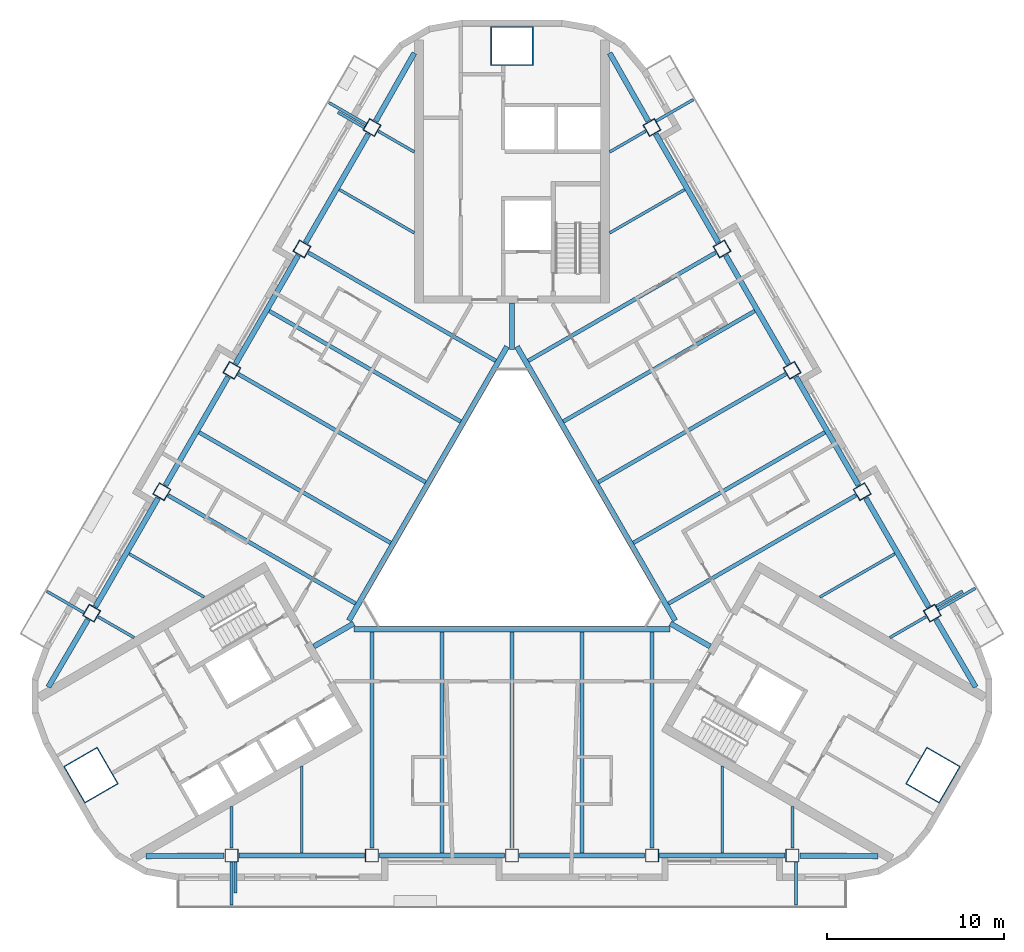
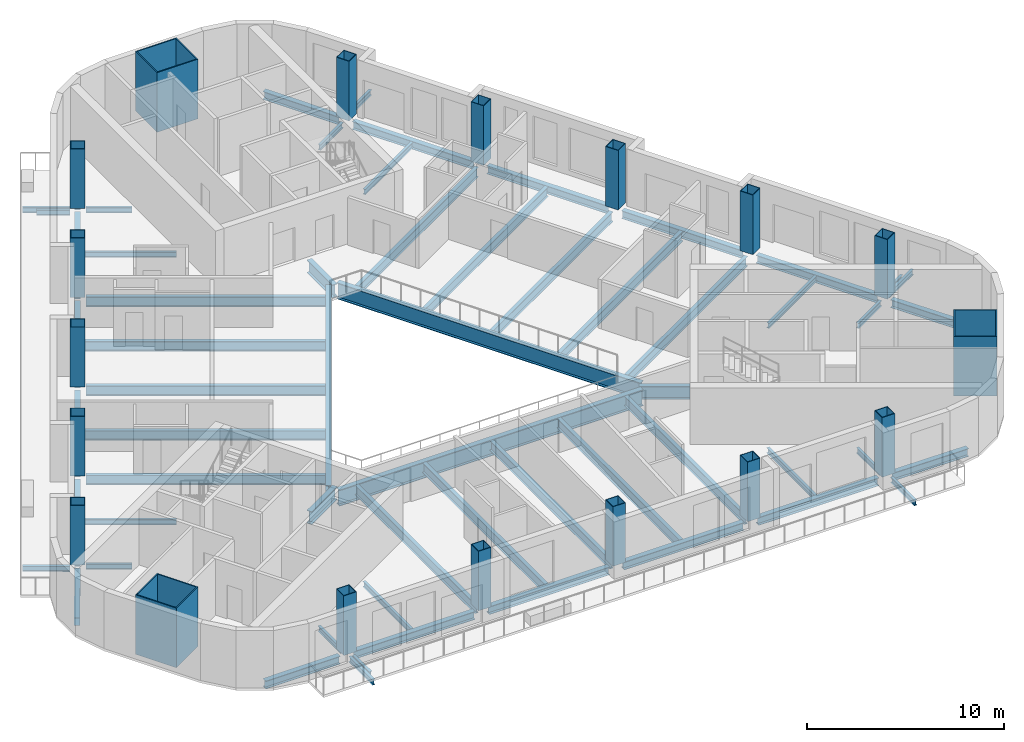
# One storey, part 1 of 13: 60 beams, 18 columns.
"""IFC4 building model written with IfcOpenShell, lengths in metres."""

from ifc_helpers import new_model, si_unit, direction, frame, origin, origin_2d, place, context, subcontext, project, spatial, rectangle, hollow_rectangle, i_section, extrude, material, material_profile, profile_set, type_object, element, save


model = new_model("IFC4")

# Units and contexts
model_context = context("Model", 3, precision=1e-05, world=origin(), true_north=direction((0.0, 1.0)))
body_context = subcontext(model_context, "Body", "Model", "MODEL_VIEW")
ifc_project = project(units=[si_unit("LENGTHUNIT", "METRE"), si_unit("AREAUNIT", "SQUARE_METRE"), si_unit("VOLUMEUNIT", "CUBIC_METRE"), si_unit("PLANEANGLEUNIT", "RADIAN"), si_unit("MASSUNIT", "GRAM", prefix="KILO")], contexts=[model_context])

# Site, building, storey
site_placement = place(None, origin())
site = spatial("IfcSite", under=ifc_project, at=site_placement, CompositionType="ELEMENT")
building_placement = place(site_placement, origin())
building = spatial("IfcBuilding", under=site, at=building_placement, Name="Apuvela Tower Hotel", CompositionType="ELEMENT")
storey_placement = place(building_placement, frame((0.0, 0.0, 187.300048828125)))
storey = spatial("IfcBuildingStorey", under=building, at=storey_placement, Name="L45", CompositionType="ELEMENT", Elevation=187.300048828125)

# Columns
ifc_material_1 = material(Name="Steel S460", Category="steel")
ifc_material_profile_1 = material_profile(ifc_material_1, hollow_rectangle(XDim=2.39990234375, YDim=2.199951171875, WallThickness=0.06005859375, at=origin_2d()), Name="BOX 2400x2200x60")
ifc_material_2 = material(Name="Concrete C80/95", Category="concrete")
ifc_material_profile_2 = material_profile(ifc_material_2, rectangle(XDim=2.280029296875, YDim=2.080078125, at=origin_2d()), Name="Concrete C80/95 infill")
ifc_profile_set_1 = profile_set([ifc_material_profile_1, ifc_material_profile_2], Name="Steel S460")
column_type_1 = type_object("IfcColumnType", Name="STR-MC mega column BOX 2400x2200x60", PredefinedType="COLUMN", material=ifc_profile_set_1)
for number, where, z_axis, x_axis, name in (
    (1, (0.0, 27.39990234375, 0.0), (0.0, 0.0, 1.0), (1.0, 0.0, 0.0), "Mega column MC3 N"),
    (2, (-23.72900390625, -13.699951171875, 0.0), (0.0, 0.0, 1.0), (-0.5, 0.866025403784, 0.0), "Mega column MC3 SW"),
    (3, (23.72900390625, -13.699951171875, 0.0), (0.0, 0.0, 1.0), (0.5, 0.866025403784, 0.0), "Mega column MC3 SE"),
):
    element("IfcColumn", number, at=place(storey_placement, frame(where, z_axis=z_axis, x_axis=x_axis)), inside=storey, type_object=column_type_1, Name=name, PredefinedType="COLUMN", context=body_context, shape_type="SweptSolid", body=[
        extrude(hollow_rectangle(XDim=2.39990234375, YDim=2.199951171875, WallThickness=0.06005859375, at=origin_2d()), origin(), (0.0, 0.0, 1.0), 3.699951171875),
    ])
ifc_material_profile_3 = material_profile(ifc_material_1, hollow_rectangle(XDim=0.75, YDim=0.75, WallThickness=0.034912109375, at=origin_2d()), Name="BOX 750x750x35")
ifc_material_profile_4 = material_profile(ifc_material_2, rectangle(XDim=0.679931640625, YDim=0.679931640625, at=origin_2d()), Name="Concrete C80/95 infill")
ifc_profile_set_2 = profile_set([ifc_material_profile_3, ifc_material_profile_4], Name="Steel S460")
column_type_2 = type_object("IfcColumnType", Name="STR-PC perimeter column BOX 750x750x35", PredefinedType="COLUMN", material=ifc_profile_set_2)
for number, where, z_axis, x_axis, name in (
    (4, (-15.800048828125, -18.22998046875, 0.0), (0.0, 0.0, 1.0), (-1.0, 0.0, 0.0), "Perimeter column C5 S1"),
    (5, (-7.89990234375, -18.22998046875, 0.0), (0.0, 0.0, 1.0), (-1.0, 0.0, 0.0), "Perimeter column C5 S2"),
    (6, (0.0, -18.22998046875, 0.0), (0.0, 0.0, 1.0), (-1.0, 0.0, 0.0), "Perimeter column C5 S3"),
    (7, (7.89990234375, -18.22998046875, 0.0), (0.0, 0.0, 1.0), (-1.0, 0.0, 0.0), "Perimeter column C5 S4"),
    (8, (15.800048828125, -18.22998046875, 0.0), (0.0, 0.0, 1.0), (-1.0, 0.0, 0.0), "Perimeter column C5 S5"),
    (9, (23.6875, -4.568115234375, 0.0), (0.0, 0.0, 1.0), (-0.5, 0.866025403784, 0.0), "Perimeter column C5 NE1"),
    (10, (19.737548828125, 2.2734375, 0.0), (0.0, 0.0, 1.0), (-0.5, 0.866025403784, 0.0), "Perimeter column C5 NE2"),
    (11, (15.78759765625, 9.114990234375, 0.0), (0.0, 0.0, 1.0), (-0.5, 0.866025403784, 0.0), "Perimeter column C5 NE3"),
    (12, (11.837646484375, 15.95654296875, 0.0), (0.0, 0.0, 1.0), (-0.5, 0.866025403784, 0.0), "Perimeter column C5 NE4"),
    (13, (7.8876953125, 22.798095703125, 0.0), (0.0, 0.0, 1.0), (-0.5, 0.866025403784, 0.0), "Perimeter column C5 NE5"),
    (14, (-7.8876953125, 22.798095703125, 0.0), (0.0, 0.0, 1.0), (0.5, 0.866025403784, 0.0), "Perimeter column C5 NW1"),
    (15, (-11.837646484375, 15.95654296875, 0.0), (0.0, 0.0, 1.0), (0.5, 0.866025403784, 0.0), "Perimeter column C5 NW2"),
    (16, (-15.78759765625, 9.114990234375, 0.0), (0.0, 0.0, 1.0), (0.5, 0.866025403784, 0.0), "Perimeter column C5 NW3"),
    (17, (-19.737548828125, 2.2734375, 0.0), (0.0, 0.0, 1.0), (0.5, 0.866025403784, 0.0), "Perimeter column C5 NW4"),
    (18, (-23.6875, -4.568115234375, 0.0), (0.0, 0.0, 1.0), (0.5, 0.866025403784, 0.0), "Perimeter column C5 NW5"),
):
    element("IfcColumn", number, at=place(storey_placement, frame(where, z_axis=z_axis, x_axis=x_axis)), inside=storey, type_object=column_type_2, Name=name, PredefinedType="COLUMN", context=body_context, shape_type="SweptSolid", body=[
        extrude(hollow_rectangle(XDim=0.75, YDim=0.75, WallThickness=0.034912109375, at=origin_2d()), origin(), (0.0, 0.0, 1.0), 3.699951171875),
    ])

# Beams
ifc_material_3 = material(Name="Steel S355", Category="steel")
ifc_material_profile_5 = material_profile(ifc_material_3, i_section(OverallWidth=0.159912109375, OverallDepth=0.330078125, WebThickness=0.007568359375, FlangeThickness=0.011474609375, at=origin_2d()), Name="IPE 330")
ifc_profile_set_3 = profile_set([ifc_material_profile_5], Name="Steel S355")
beam_type_1 = type_object("IfcBeamType", Name="ENV-BALCONY-BEAM-IPE330", PredefinedType="BEAM", material=ifc_profile_set_3)
beam_1_placement = place(storey_placement, frame((-15.800048828125, -18.60498046875, -0.31494140625), z_axis=(0.0, -1.0, 0.0), x_axis=(1.0, 0.0, 0.0)))
element("IfcBeam", 19, at=beam_1_placement, inside=storey, type_object=beam_type_1, Name="Balcony cantilever beam S1 L45", PredefinedType="BEAM", context=body_context, shape_type="SweptSolid", body=[
    extrude(i_section(OverallWidth=0.159912109375, OverallDepth=0.330078125, WebThickness=0.007568359375, FlangeThickness=0.011474609375, at=origin_2d()), origin(), (0.0, 0.0, 1.0), 2.425048828125),
])
beam_2_placement = place(storey_placement, frame((-15.580078125, -18.60498046875, -0.31494140625), z_axis=(0.0, -1.0, 0.0), x_axis=(1.0, 0.0, 0.0)))
element("IfcBeam", 20, at=beam_2_placement, inside=storey, type_object=beam_type_1, Name="Balcony cantilever beam S2 L45", PredefinedType="BEAM", context=body_context, shape_type="SweptSolid", body=[
    extrude(i_section(OverallWidth=0.159912109375, OverallDepth=0.330078125, WebThickness=0.007568359375, FlangeThickness=0.011474609375, at=origin_2d()), origin(), (0.0, 0.0, 1.0), 1.72509765625),
])
for number, where, z_axis, x_axis, name in (
    (21, (16.0, -18.60498046875, -0.31494140625), (0.0, -1.0, 0.0), (1.0, 0.0, 0.0), "Balcony cantilever beam S3 L45"),
    (22, (24.012451171875, -4.380615234375, -0.31494140625), (0.866041403502, 0.499972286653, 0.0), (-0.499972286653, 0.866041403502, 0.0), "Balcony cantilever beam NE1 L45"),
):
    element("IfcBeam", number, at=place(storey_placement, frame(where, z_axis=z_axis, x_axis=x_axis)), inside=storey, type_object=beam_type_1, Name=name, PredefinedType="BEAM", context=body_context, shape_type="SweptSolid", body=[
        extrude(i_section(OverallWidth=0.159912109375, OverallDepth=0.330078125, WebThickness=0.007568359375, FlangeThickness=0.011474609375, at=origin_2d()), origin(), (0.0, 0.0, 1.0), 2.425048828125),
    ])
beam_3_placement = place(storey_placement, frame((23.90234375, -4.190185546875, -0.31494140625), z_axis=(0.866013532718, 0.500020560727, 0.0), x_axis=(-0.500020560727, 0.866013532718, 0.0)))
element("IfcBeam", 23, at=beam_3_placement, inside=storey, type_object=beam_type_1, Name="Balcony cantilever beam NE2 L45", PredefinedType="BEAM", context=body_context, shape_type="SweptSolid", body=[
    extrude(i_section(OverallWidth=0.159912109375, OverallDepth=0.330078125, WebThickness=0.007568359375, FlangeThickness=0.011474609375, at=origin_2d()), origin(), (0.0, 0.0, 1.0), 1.72509765625),
])
for number, where, z_axis, x_axis, name in (
    (24, (8.1123046875, 23.158935546875, -0.31494140625), (0.866041403502, 0.499972286653, 0.0), (-0.499972286653, 0.866041403502, 0.0), "Balcony cantilever beam NE3 L45"),
    (25, (-8.21240234375, 22.985595703125, -0.31494140625), (-0.865997808697, 0.500047793048, 0.0), (-0.500047793048, -0.865997808697, 0.0), "Balcony cantilever beam NW1 L45"),
):
    element("IfcBeam", number, at=place(storey_placement, frame(where, z_axis=z_axis, x_axis=x_axis)), inside=storey, type_object=beam_type_1, Name=name, PredefinedType="BEAM", context=body_context, shape_type="SweptSolid", body=[
        extrude(i_section(OverallWidth=0.159912109375, OverallDepth=0.330078125, WebThickness=0.007568359375, FlangeThickness=0.011474609375, at=origin_2d()), origin(), (0.0, 0.0, 1.0), 2.425048828125),
    ])
beam_4_placement = place(storey_placement, frame((-8.322509765625, 22.795166015625, -0.31494140625), z_axis=(-0.866013532718, 0.500020560727, 0.0), x_axis=(-0.500020560727, -0.866013532718, 0.0)))
element("IfcBeam", 26, at=beam_4_placement, inside=storey, type_object=beam_type_1, Name="Balcony cantilever beam NW2 L45", PredefinedType="BEAM", context=body_context, shape_type="SweptSolid", body=[
    extrude(i_section(OverallWidth=0.159912109375, OverallDepth=0.330078125, WebThickness=0.007568359375, FlangeThickness=0.011474609375, at=origin_2d()), origin(), (0.0, 0.0, 1.0), 1.72509765625),
])
beam_5_placement = place(storey_placement, frame((-24.1123046875, -4.553955078125, -0.31494140625), z_axis=(-0.865997808697, 0.500047793048, 0.0), x_axis=(-0.500047793048, -0.865997808697, 0.0)))
element("IfcBeam", 27, at=beam_5_placement, inside=storey, type_object=beam_type_1, Name="Balcony cantilever beam NW3 L45", PredefinedType="BEAM", context=body_context, shape_type="SweptSolid", body=[
    extrude(i_section(OverallWidth=0.159912109375, OverallDepth=0.330078125, WebThickness=0.007568359375, FlangeThickness=0.011474609375, at=origin_2d()), origin(), (0.0, 0.0, 1.0), 2.425048828125),
])
ifc_material_profile_6 = material_profile(ifc_material_3, i_section(OverallWidth=0.159912109375, OverallDepth=0.330078125, WebThickness=0.007568359375, FlangeThickness=0.011474609375, at=origin_2d()), Name="IPE 330")
ifc_profile_set_4 = profile_set([ifc_material_profile_6], Name="Steel S355")
beam_type_2 = type_object("IfcBeamType", Name="STR-B floor beam IPE 330", PredefinedType="BEAM", material=ifc_profile_set_4)
beam_6_placement = place(storey_placement, frame((23.319580078125, -4.78076171875, -0.31494140625), z_axis=(-0.866018215049, -0.500012451049, 0.0), x_axis=(0.500012451049, -0.866018215049, 0.0)))
element("IfcBeam", 28, at=beam_6_placement, inside=storey, type_object=beam_type_2, Name="Floor beam B1 NE1", PredefinedType="BEAM", context=body_context, shape_type="SweptSolid", body=[
    extrude(i_section(OverallWidth=0.159912109375, OverallDepth=0.330078125, WebThickness=0.007568359375, FlangeThickness=0.011474609375, at=origin_2d()), origin(), (0.0, 0.0, 1.0), 2.33203125),
])
for number, where, z_axis, x_axis, name in (
    (29, (21.582763671875, -1.222412109375, -0.31494140625), (-0.866015056278, -0.500017921979, 0.0), (0.500017921979, -0.866015056278, 0.0), "Floor beam B1 NE2"),
    (30, (9.732666015625, 19.302490234375, -0.31494140625), (-0.866015056278, -0.500017921979, 0.0), (0.500017921979, -0.866015056278, 0.0), "Floor beam B1 NE8"),
):
    element("IfcBeam", number, at=place(storey_placement, frame(where, z_axis=z_axis, x_axis=x_axis)), inside=storey, type_object=beam_type_2, Name=name, PredefinedType="BEAM", context=body_context, shape_type="SweptSolid", body=[
        extrude(i_section(OverallWidth=0.159912109375, OverallDepth=0.330078125, WebThickness=0.007568359375, FlangeThickness=0.011474609375, at=origin_2d()), origin(), (0.0, 0.0, 1.0), 4.887451171875),
    ])
for number, where, z_axis, x_axis, name in (
    (31, (7.51953125, 22.585693359375, -0.31494140625), (-0.866018215049, -0.500012451049, 0.0), (0.500012451049, -0.866018215049, 0.0), "Floor beam B1 NE9"),
    (32, (-7.51953125, 22.585693359375, -0.31494140625), (0.866018215049, -0.500012451049, 0.0), (0.500012451049, 0.866018215049, 0.0), "Floor beam B1 NW1"),
):
    element("IfcBeam", number, at=place(storey_placement, frame(where, z_axis=z_axis, x_axis=x_axis)), inside=storey, type_object=beam_type_2, Name=name, PredefinedType="BEAM", context=body_context, shape_type="SweptSolid", body=[
        extrude(i_section(OverallWidth=0.159912109375, OverallDepth=0.330078125, WebThickness=0.007568359375, FlangeThickness=0.011474609375, at=origin_2d()), origin(), (0.0, 0.0, 1.0), 2.33203125),
    ])
for number, where, z_axis, x_axis, name in (
    (33, (-9.732666015625, 19.302490234375, -0.31494140625), (0.866015056278, -0.500017921979, 0.0), (0.500017921979, 0.866015056278, 0.0), "Floor beam B1 NW2"),
    (34, (-21.582763671875, -1.222412109375, -0.31494140625), (0.866015056278, -0.500017921979, 0.0), (0.500017921979, 0.866015056278, 0.0), "Floor beam B1 NW8"),
):
    element("IfcBeam", number, at=place(storey_placement, frame(where, z_axis=z_axis, x_axis=x_axis)), inside=storey, type_object=beam_type_2, Name=name, PredefinedType="BEAM", context=body_context, shape_type="SweptSolid", body=[
        extrude(i_section(OverallWidth=0.159912109375, OverallDepth=0.330078125, WebThickness=0.007568359375, FlangeThickness=0.011474609375, at=origin_2d()), origin(), (0.0, 0.0, 1.0), 4.887451171875),
    ])
for number, where, z_axis, x_axis, name in (
    (35, (-23.319580078125, -4.78076171875, -0.31494140625), (0.866018215049, -0.500012451049, 0.0), (0.500012451049, 0.866018215049, 0.0), "Floor beam B1 NW9"),
    (36, (-15.800048828125, -17.804931640625, -0.31494140625), (0.0, 1.0, 0.0), (-1.0, 0.0, 0.0), "Floor beam B1 S1"),
):
    element("IfcBeam", number, at=place(storey_placement, frame(where, z_axis=z_axis, x_axis=x_axis)), inside=storey, type_object=beam_type_2, Name=name, PredefinedType="BEAM", context=body_context, shape_type="SweptSolid", body=[
        extrude(i_section(OverallWidth=0.159912109375, OverallDepth=0.330078125, WebThickness=0.007568359375, FlangeThickness=0.011474609375, at=origin_2d()), origin(), (0.0, 0.0, 1.0), 2.33203125),
    ])
for number, where, z_axis, x_axis, name in (
    (37, (-11.85009765625, -18.080078125, -0.31494140625), (0.0, 1.0, 0.0), (-1.0, 0.0, 0.0), "Floor beam B1 S2"),
    (38, (11.85009765625, -18.080078125, -0.31494140625), (0.0, 1.0, 0.0), (-1.0, 0.0, 0.0), "Floor beam B1 S8"),
):
    element("IfcBeam", number, at=place(storey_placement, frame(where, z_axis=z_axis, x_axis=x_axis)), inside=storey, type_object=beam_type_2, Name=name, PredefinedType="BEAM", context=body_context, shape_type="SweptSolid", body=[
        extrude(i_section(OverallWidth=0.159912109375, OverallDepth=0.330078125, WebThickness=0.007568359375, FlangeThickness=0.011474609375, at=origin_2d()), origin(), (0.0, 0.0, 1.0), 4.8876953125),
    ])
beam_7_placement = place(storey_placement, frame((15.800048828125, -17.804931640625, -0.31494140625), z_axis=(0.0, 1.0, 0.0), x_axis=(-1.0, 0.0, 0.0)))
element("IfcBeam", 39, at=beam_7_placement, inside=storey, type_object=beam_type_2, Name="Floor beam B1 S9", PredefinedType="BEAM", context=body_context, shape_type="SweptSolid", body=[
    extrude(i_section(OverallWidth=0.159912109375, OverallDepth=0.330078125, WebThickness=0.007568359375, FlangeThickness=0.011474609375, at=origin_2d()), origin(), (0.0, 0.0, 1.0), 2.33203125),
])
ifc_material_profile_7 = material_profile(ifc_material_3, i_section(OverallWidth=0.219970703125, OverallDepth=0.60009765625, WebThickness=0.011962890625, FlangeThickness=0.01904296875, at=origin_2d()), Name="IPE 600")
ifc_profile_set_5 = profile_set([ifc_material_profile_7], Name="Steel S355")
beam_type_3 = type_object("IfcBeamType", Name="STR-B floor beam IPE 600", PredefinedType="BEAM", material=ifc_profile_set_5)
beam_8_placement = place(storey_placement, frame((19.36962890625, 2.060791015625, -0.449951171875), z_axis=(-0.866032437209, -0.499987817553, 0.0), x_axis=(0.499987817553, -0.866032437209, 0.0)))
element("IfcBeam", 40, at=beam_8_placement, inside=storey, type_object=beam_type_3, Name="Floor beam B8 NE3", PredefinedType="BEAM", context=body_context, shape_type="SweptSolid", body=[
    extrude(i_section(OverallWidth=0.219970703125, OverallDepth=0.60009765625, WebThickness=0.011962890625, FlangeThickness=0.01904296875, at=origin_2d()), origin(), (0.0, 0.0, 1.0), 12.184814453125),
])
beam_9_placement = place(storey_placement, frame((17.6328125, 5.619140625, -0.449951171875), z_axis=(-0.866027987673, -0.499995524547, 0.0), x_axis=(0.499995524547, -0.866027987673, 0.0)))
element("IfcBeam", 41, at=beam_9_placement, inside=storey, type_object=beam_type_3, Name="Floor beam B8 NE4", PredefinedType="BEAM", context=body_context, shape_type="SweptSolid", body=[
    extrude(i_section(OverallWidth=0.219970703125, OverallDepth=0.60009765625, WebThickness=0.011962890625, FlangeThickness=0.01904296875, at=origin_2d()), origin(), (0.0, 0.0, 1.0), 12.4599609375),
])
beam_10_placement = place(storey_placement, frame((15.419677734375, 8.902587890625, -0.449951171875), z_axis=(-0.8660237613, -0.500002844856, 0.0), x_axis=(0.500002844856, -0.8660237613, 0.0)))
element("IfcBeam", 42, at=beam_10_placement, inside=storey, type_object=beam_type_3, Name="Floor beam B8 NE5", PredefinedType="BEAM", context=body_context, shape_type="SweptSolid", body=[
    extrude(i_section(OverallWidth=0.219970703125, OverallDepth=0.60009765625, WebThickness=0.011962890625, FlangeThickness=0.01904296875, at=origin_2d()), origin(), (0.0, 0.0, 1.0), 12.18505859375),
])
beam_11_placement = place(storey_placement, frame((13.6826171875, 12.460693359375, -0.449951171875), z_axis=(-0.866023089177, -0.500004008996, 0.0), x_axis=(0.500004008996, -0.866023089177, 0.0)))
element("IfcBeam", 43, at=beam_11_placement, inside=storey, type_object=beam_type_3, Name="Floor beam B8 NE6", PredefinedType="BEAM", context=body_context, shape_type="SweptSolid", body=[
    extrude(i_section(OverallWidth=0.219970703125, OverallDepth=0.60009765625, WebThickness=0.011962890625, FlangeThickness=0.01904296875, at=origin_2d()), origin(), (0.0, 0.0, 1.0), 12.4599609375),
])
for number, where, z_axis, x_axis, name in (
    (44, (11.469482421875, 15.744140625, -0.449951171875), (-0.8660237613, -0.500002844856, 0.0), (0.500002844856, -0.8660237613, 0.0), "Floor beam B8 NE7"),
    (45, (-11.469482421875, 15.744140625, -0.449951171875), (0.8660237613, -0.500002844856, 0.0), (0.500002844856, 0.8660237613, 0.0), "Floor beam B8 NW3"),
):
    element("IfcBeam", number, at=place(storey_placement, frame(where, z_axis=z_axis, x_axis=x_axis)), inside=storey, type_object=beam_type_3, Name=name, PredefinedType="BEAM", context=body_context, shape_type="SweptSolid", body=[
        extrude(i_section(OverallWidth=0.219970703125, OverallDepth=0.60009765625, WebThickness=0.011962890625, FlangeThickness=0.01904296875, at=origin_2d()), origin(), (0.0, 0.0, 1.0), 12.18505859375),
    ])
beam_12_placement = place(storey_placement, frame((-13.6826171875, 12.460693359375, -0.449951171875), z_axis=(0.866023089177, -0.500004008996, 0.0), x_axis=(0.500004008996, 0.866023089177, 0.0)))
element("IfcBeam", 46, at=beam_12_placement, inside=storey, type_object=beam_type_3, Name="Floor beam B8 NW4", PredefinedType="BEAM", context=body_context, shape_type="SweptSolid", body=[
    extrude(i_section(OverallWidth=0.219970703125, OverallDepth=0.60009765625, WebThickness=0.011962890625, FlangeThickness=0.01904296875, at=origin_2d()), origin(), (0.0, 0.0, 1.0), 12.4599609375),
])
beam_13_placement = place(storey_placement, frame((-15.419677734375, 8.902587890625, -0.449951171875), z_axis=(0.8660237613, -0.500002844856, 0.0), x_axis=(0.500002844856, 0.8660237613, 0.0)))
element("IfcBeam", 47, at=beam_13_placement, inside=storey, type_object=beam_type_3, Name="Floor beam B8 NW5", PredefinedType="BEAM", context=body_context, shape_type="SweptSolid", body=[
    extrude(i_section(OverallWidth=0.219970703125, OverallDepth=0.60009765625, WebThickness=0.011962890625, FlangeThickness=0.01904296875, at=origin_2d()), origin(), (0.0, 0.0, 1.0), 12.18505859375),
])
beam_14_placement = place(storey_placement, frame((-17.6328125, 5.619140625, -0.449951171875), z_axis=(0.866027987673, -0.499995524547, 0.0), x_axis=(0.499995524547, 0.866027987673, 0.0)))
element("IfcBeam", 48, at=beam_14_placement, inside=storey, type_object=beam_type_3, Name="Floor beam B8 NW6", PredefinedType="BEAM", context=body_context, shape_type="SweptSolid", body=[
    extrude(i_section(OverallWidth=0.219970703125, OverallDepth=0.60009765625, WebThickness=0.011962890625, FlangeThickness=0.01904296875, at=origin_2d()), origin(), (0.0, 0.0, 1.0), 12.4599609375),
])
for number, where, z_axis, x_axis, name in (
    (49, (-19.36962890625, 2.060791015625, -0.449951171875), (0.866032437209, -0.499987817553, 0.0), (0.499987817553, 0.866032437209, 0.0), "Floor beam B8 NW7"),
    (50, (-7.89990234375, -17.804931640625, -0.449951171875), (0.0, 1.0, 0.0), (-1.0, 0.0, 0.0), "Floor beam B8 S3"),
):
    element("IfcBeam", number, at=place(storey_placement, frame(where, z_axis=z_axis, x_axis=x_axis)), inside=storey, type_object=beam_type_3, Name=name, PredefinedType="BEAM", context=body_context, shape_type="SweptSolid", body=[
        extrude(i_section(OverallWidth=0.219970703125, OverallDepth=0.60009765625, WebThickness=0.011962890625, FlangeThickness=0.01904296875, at=origin_2d()), origin(), (0.0, 0.0, 1.0), 12.184814453125),
    ])
beam_15_placement = place(storey_placement, frame((-3.949951171875, -18.080078125, -0.449951171875), z_axis=(0.0, 1.0, 0.0), x_axis=(-1.0, 0.0, 0.0)))
element("IfcBeam", 51, at=beam_15_placement, inside=storey, type_object=beam_type_3, Name="Floor beam B8 S4", PredefinedType="BEAM", context=body_context, shape_type="SweptSolid", body=[
    extrude(i_section(OverallWidth=0.219970703125, OverallDepth=0.60009765625, WebThickness=0.011962890625, FlangeThickness=0.01904296875, at=origin_2d()), origin(), (0.0, 0.0, 1.0), 12.4599609375),
])
beam_16_placement = place(storey_placement, frame((0.0, -17.804931640625, -0.449951171875), z_axis=(0.0, 1.0, 0.0), x_axis=(-1.0, 0.0, 0.0)))
element("IfcBeam", 52, at=beam_16_placement, inside=storey, type_object=beam_type_3, Name="Floor beam B8 S5", PredefinedType="BEAM", context=body_context, shape_type="SweptSolid", body=[
    extrude(i_section(OverallWidth=0.219970703125, OverallDepth=0.60009765625, WebThickness=0.011962890625, FlangeThickness=0.01904296875, at=origin_2d()), origin(), (0.0, 0.0, 1.0), 12.184814453125),
])
beam_17_placement = place(storey_placement, frame((3.949951171875, -18.080078125, -0.449951171875), z_axis=(0.0, 1.0, 0.0), x_axis=(-1.0, 0.0, 0.0)))
element("IfcBeam", 53, at=beam_17_placement, inside=storey, type_object=beam_type_3, Name="Floor beam B8 S6", PredefinedType="BEAM", context=body_context, shape_type="SweptSolid", body=[
    extrude(i_section(OverallWidth=0.219970703125, OverallDepth=0.60009765625, WebThickness=0.011962890625, FlangeThickness=0.01904296875, at=origin_2d()), origin(), (0.0, 0.0, 1.0), 12.4599609375),
])
beam_18_placement = place(storey_placement, frame((7.89990234375, -17.804931640625, -0.449951171875), z_axis=(0.0, 1.0, 0.0), x_axis=(-1.0, 0.0, 0.0)))
element("IfcBeam", 54, at=beam_18_placement, inside=storey, type_object=beam_type_3, Name="Floor beam B8 S7", PredefinedType="BEAM", context=body_context, shape_type="SweptSolid", body=[
    extrude(i_section(OverallWidth=0.219970703125, OverallDepth=0.60009765625, WebThickness=0.011962890625, FlangeThickness=0.01904296875, at=origin_2d()), origin(), (0.0, 0.0, 1.0), 12.184814453125),
])
ifc_material_profile_8 = material_profile(ifc_material_3, i_section(OverallWidth=0.300048828125, OverallDepth=1.0, WebThickness=0.01904296875, FlangeThickness=0.035888671875, at=origin_2d()), Name="HE 1000 B")
ifc_profile_set_6 = profile_set([ifc_material_profile_8], Name="Steel S355")
beam_type_4 = type_object("IfcBeamType", Name="STR-G atrium ring girder HE 1000 B", PredefinedType="BEAM", material=ifc_profile_set_6)
beam_19_placement = place(storey_placement, frame((-0.27978515625, 10.455078125, -0.650146484375), z_axis=(-0.500006541319, -0.866021627119, 0.0), x_axis=(0.866021627119, -0.500006541319, 0.0)))
element("IfcBeam", 55, at=beam_19_placement, inside=storey, type_object=beam_type_4, Name="Atrium ring girder G2 N-SW", PredefinedType="BEAM", context=body_context, shape_type="SweptSolid", body=[
    extrude(i_section(OverallWidth=0.300048828125, OverallDepth=1.0, WebThickness=0.01904296875, FlangeThickness=0.035888671875, at=origin_2d()), origin(), (0.0, 0.0, 1.0), 17.828857421875),
])
beam_20_placement = place(storey_placement, frame((-8.91455078125, -5.469970703125, -0.650146484375), z_axis=(1.0, 0.0, 0.0), x_axis=(0.0, 1.0, 0.0)))
element("IfcBeam", 56, at=beam_20_placement, inside=storey, type_object=beam_type_4, Name="Atrium ring girder G2 SW-SE", PredefinedType="BEAM", context=body_context, shape_type="SweptSolid", body=[
    extrude(i_section(OverallWidth=0.300048828125, OverallDepth=1.0, WebThickness=0.01904296875, FlangeThickness=0.035888671875, at=origin_2d()), origin(), (0.0, 0.0, 1.0), 17.8291015625),
])
beam_21_placement = place(storey_placement, frame((9.1943359375, -4.985107421875, -0.650146484375), z_axis=(-0.500006541319, 0.866021627119, 0.0), x_axis=(-0.866021627119, -0.500006541319, 0.0)))
element("IfcBeam", 57, at=beam_21_placement, inside=storey, type_object=beam_type_4, Name="Atrium ring girder G2 SE-N", PredefinedType="BEAM", context=body_context, shape_type="SweptSolid", body=[
    extrude(i_section(OverallWidth=0.300048828125, OverallDepth=1.0, WebThickness=0.01904296875, FlangeThickness=0.035888671875, at=origin_2d()), origin(), (0.0, 0.0, 1.0), 17.828857421875),
])
ifc_material_profile_9 = material_profile(ifc_material_3, i_section(OverallWidth=0.300048828125, OverallDepth=0.800048828125, WebThickness=0.017578125, FlangeThickness=0.032958984375, at=origin_2d()), Name="HE 800 B")
ifc_profile_set_7 = profile_set([ifc_material_profile_9], Name="Steel S355")
beam_type_5 = type_object("IfcBeamType", Name="STR-GT core tie beam HE 800 B", PredefinedType="BEAM", material=ifc_profile_set_7)
for number, where, z_axis, x_axis, name in (
    (58, (0.0, 12.89990234375, -0.550048828125), (0.0, -1.0, 0.0), (1.0, 0.0, 0.0), "Core tie beam GT1 N"),
    (59, (-11.171630859375, -6.449951171875, -0.550048828125), (0.865997922154, 0.500047596559, 0.0), (-0.500047596559, 0.865997922154, 0.0), "Core tie beam GT1 SW"),
    (60, (11.171630859375, -6.449951171875, -0.550048828125), (-0.865997922154, 0.500047596559, 0.0), (-0.500047596559, -0.865997922154, 0.0), "Core tie beam GT1 SE"),
):
    element("IfcBeam", number, at=place(storey_placement, frame(where, z_axis=z_axis, x_axis=x_axis)), inside=storey, type_object=beam_type_5, Name=name, PredefinedType="BEAM", context=body_context, shape_type="SweptSolid", body=[
        extrude(i_section(OverallWidth=0.300048828125, OverallDepth=0.800048828125, WebThickness=0.017578125, FlangeThickness=0.032958984375, at=origin_2d()), origin(), (0.0, 0.0, 1.0), 2.599853515625),
    ])
ifc_material_profile_10 = material_profile(ifc_material_3, i_section(OverallWidth=0.300048828125, OverallDepth=0.489990234375, WebThickness=0.011962890625, FlangeThickness=0.02294921875, at=origin_2d()), Name="HE 500 A")
ifc_profile_set_8 = profile_set([ifc_material_profile_10], Name="Steel S355")
beam_type_6 = type_object("IfcBeamType", Name="STR-SB spandrel beam HE 500 A", PredefinedType="SPANDREL", material=ifc_profile_set_8)
for number, where, z_axis, x_axis, name in (
    (61, (-15.375, -18.22998046875, -0.39501953125), (1.0, 0.0, 0.0), (0.0, 1.0, 0.0), "Spandrel beam SB3 S1"),
    (62, (-7.47509765625, -18.22998046875, -0.39501953125), (1.0, 0.0, 0.0), (0.0, 1.0, 0.0), "Spandrel beam SB3 S2"),
    (63, (0.425048828125, -18.22998046875, -0.39501953125), (1.0, 0.0, 0.0), (0.0, 1.0, 0.0), "Spandrel beam SB3 S3"),
    (64, (8.324951171875, -18.22998046875, -0.39501953125), (1.0, 0.0, 0.0), (0.0, 1.0, 0.0), "Spandrel beam SB3 S4"),
    (65, (23.47509765625, -4.2001953125, -0.39501953125), (-0.499990246421, 0.866031034943, 0.0), (-0.866031034943, -0.499990246421, 0.0), "Spandrel beam SB3 NE1"),
):
    element("IfcBeam", number, at=place(storey_placement, frame(where, z_axis=z_axis, x_axis=x_axis)), inside=storey, type_object=beam_type_6, Name=name, PredefinedType="SPANDREL", context=body_context, shape_type="SweptSolid", body=[
        extrude(i_section(OverallWidth=0.300048828125, OverallDepth=0.489990234375, WebThickness=0.011962890625, FlangeThickness=0.02294921875, at=origin_2d()), origin(), (0.0, 0.0, 1.0), 7.050048828125),
    ])
for number, where, z_axis, x_axis, name in (
    (66, (19.525146484375, 2.6416015625, -0.39501953125), (-0.500031214443, 0.866007381368, 0.0), (-0.866007381368, -0.500031214443, 0.0), "Spandrel beam SB3 NE2"),
    (67, (15.5751953125, 9.483154296875, -0.39501953125), (-0.500031214443, 0.866007381368, 0.0), (-0.866007381368, -0.500031214443, 0.0), "Spandrel beam SB3 NE3"),
):
    element("IfcBeam", number, at=place(storey_placement, frame(where, z_axis=z_axis, x_axis=x_axis)), inside=storey, type_object=beam_type_6, Name=name, PredefinedType="SPANDREL", context=body_context, shape_type="SweptSolid", body=[
        extrude(i_section(OverallWidth=0.300048828125, OverallDepth=0.489990234375, WebThickness=0.011962890625, FlangeThickness=0.02294921875, at=origin_2d()), origin(), (0.0, 0.0, 1.0), 7.0498046875),
    ])
for number, where, z_axis, x_axis, name in (
    (68, (11.625, 16.32470703125, -0.39501953125), (-0.499990246421, 0.866031034943, 0.0), (-0.866031034943, -0.499990246421, 0.0), "Spandrel beam SB3 NE4"),
    (69, (-8.10009765625, 22.43017578125, -0.39501953125), (-0.499990246421, -0.866031034943, 0.0), (0.866031034943, -0.499990246421, 0.0), "Spandrel beam SB3 NW1"),
):
    element("IfcBeam", number, at=place(storey_placement, frame(where, z_axis=z_axis, x_axis=x_axis)), inside=storey, type_object=beam_type_6, Name=name, PredefinedType="SPANDREL", context=body_context, shape_type="SweptSolid", body=[
        extrude(i_section(OverallWidth=0.300048828125, OverallDepth=0.489990234375, WebThickness=0.011962890625, FlangeThickness=0.02294921875, at=origin_2d()), origin(), (0.0, 0.0, 1.0), 7.050048828125),
    ])
for number, where, z_axis, x_axis, name in (
    (70, (-12.050048828125, 15.58837890625, -0.39501953125), (-0.500031214443, -0.866007381368, 0.0), (0.866007381368, -0.500031214443, 0.0), "Spandrel beam SB3 NW2"),
    (71, (-16.0, 8.746826171875, -0.39501953125), (-0.500031214443, -0.866007381368, 0.0), (0.866007381368, -0.500031214443, 0.0), "Spandrel beam SB3 NW3"),
):
    element("IfcBeam", number, at=place(storey_placement, frame(where, z_axis=z_axis, x_axis=x_axis)), inside=storey, type_object=beam_type_6, Name=name, PredefinedType="SPANDREL", context=body_context, shape_type="SweptSolid", body=[
        extrude(i_section(OverallWidth=0.300048828125, OverallDepth=0.489990234375, WebThickness=0.011962890625, FlangeThickness=0.02294921875, at=origin_2d()), origin(), (0.0, 0.0, 1.0), 7.0498046875),
    ])
beam_22_placement = place(storey_placement, frame((-19.9501953125, 1.9052734375, -0.39501953125), z_axis=(-0.499990246421, -0.866031034943, 0.0), x_axis=(0.866031034943, -0.499990246421, 0.0)))
element("IfcBeam", 72, at=beam_22_placement, inside=storey, type_object=beam_type_6, Name="Spandrel beam SB3 NW4", PredefinedType="SPANDREL", context=body_context, shape_type="SweptSolid", body=[
    extrude(i_section(OverallWidth=0.300048828125, OverallDepth=0.489990234375, WebThickness=0.011962890625, FlangeThickness=0.02294921875, at=origin_2d()), origin(), (0.0, 0.0, 1.0), 7.050048828125),
])
for number, where, z_axis, x_axis, name in (
    (73, (-16.22509765625, -18.23291015625, -0.39501953125), (-0.999976414172, -0.006868122043, 0.0), (0.006868122043, -0.999976414172, 0.0), "Spandrel beam SB3 S1-SW"),
    (74, (16.22509765625, -18.23291015625, -0.39501953125), (0.999976414172, -0.006868122043, 0.0), (0.006868122043, 0.999976414172, 0.0), "Spandrel beam SB3 S5-SE"),
):
    element("IfcBeam", number, at=place(storey_placement, frame(where, z_axis=z_axis, x_axis=x_axis)), inside=storey, type_object=beam_type_6, Name=name, PredefinedType="SPANDREL", context=body_context, shape_type="SweptSolid", body=[
        extrude(i_section(OverallWidth=0.300048828125, OverallDepth=0.489990234375, WebThickness=0.011962890625, FlangeThickness=0.02294921875, at=origin_2d()), origin(), (0.0, 0.0, 1.0), 4.40771484375),
    ])
beam_23_placement = place(storey_placement, frame((23.902587890625, -4.934814453125, -0.39501953125), z_axis=(0.505966812052, -0.86255294626, 0.0), x_axis=(0.86255294626, 0.505966812052, 0.0)))
element("IfcBeam", 75, at=beam_23_placement, inside=storey, type_object=beam_type_6, Name="Spandrel beam SB3 NE1-SE", PredefinedType="SPANDREL", context=body_context, shape_type="SweptSolid", body=[
    extrude(i_section(OverallWidth=0.300048828125, OverallDepth=0.489990234375, WebThickness=0.011962890625, FlangeThickness=0.02294921875, at=origin_2d()), origin(), (0.0, 0.0, 1.0), 4.407958984375),
])
for number, where, z_axis, x_axis, name in (
    (76, (7.677734375, 23.167724609375, -0.39501953125), (-0.494061745322, 0.869426817972, 0.0), (-0.869426817972, -0.494061745322, 0.0), "Spandrel beam SB3 NE5-N"),
    (77, (-7.677734375, 23.167724609375, -0.39501953125), (0.494061745322, 0.869426817972, 0.0), (-0.869426817972, 0.494061745322, 0.0), "Spandrel beam SB3 NW1-N"),
):
    element("IfcBeam", number, at=place(storey_placement, frame(where, z_axis=z_axis, x_axis=x_axis)), inside=storey, type_object=beam_type_6, Name=name, PredefinedType="SPANDREL", context=body_context, shape_type="SweptSolid", body=[
        extrude(i_section(OverallWidth=0.300048828125, OverallDepth=0.489990234375, WebThickness=0.011962890625, FlangeThickness=0.02294921875, at=origin_2d()), origin(), (0.0, 0.0, 1.0), 4.40771484375),
    ])
beam_24_placement = place(storey_placement, frame((-23.902587890625, -4.934814453125, -0.39501953125), z_axis=(-0.505966812052, -0.86255294626, 0.0), x_axis=(0.86255294626, -0.505966812052, 0.0)))
element("IfcBeam", 78, at=beam_24_placement, inside=storey, type_object=beam_type_6, Name="Spandrel beam SB3 NW5-SW", PredefinedType="SPANDREL", context=body_context, shape_type="SweptSolid", body=[
    extrude(i_section(OverallWidth=0.300048828125, OverallDepth=0.489990234375, WebThickness=0.011962890625, FlangeThickness=0.02294921875, at=origin_2d()), origin(), (0.0, 0.0, 1.0), 4.407958984375),
])

save(model, "model.ifc")
